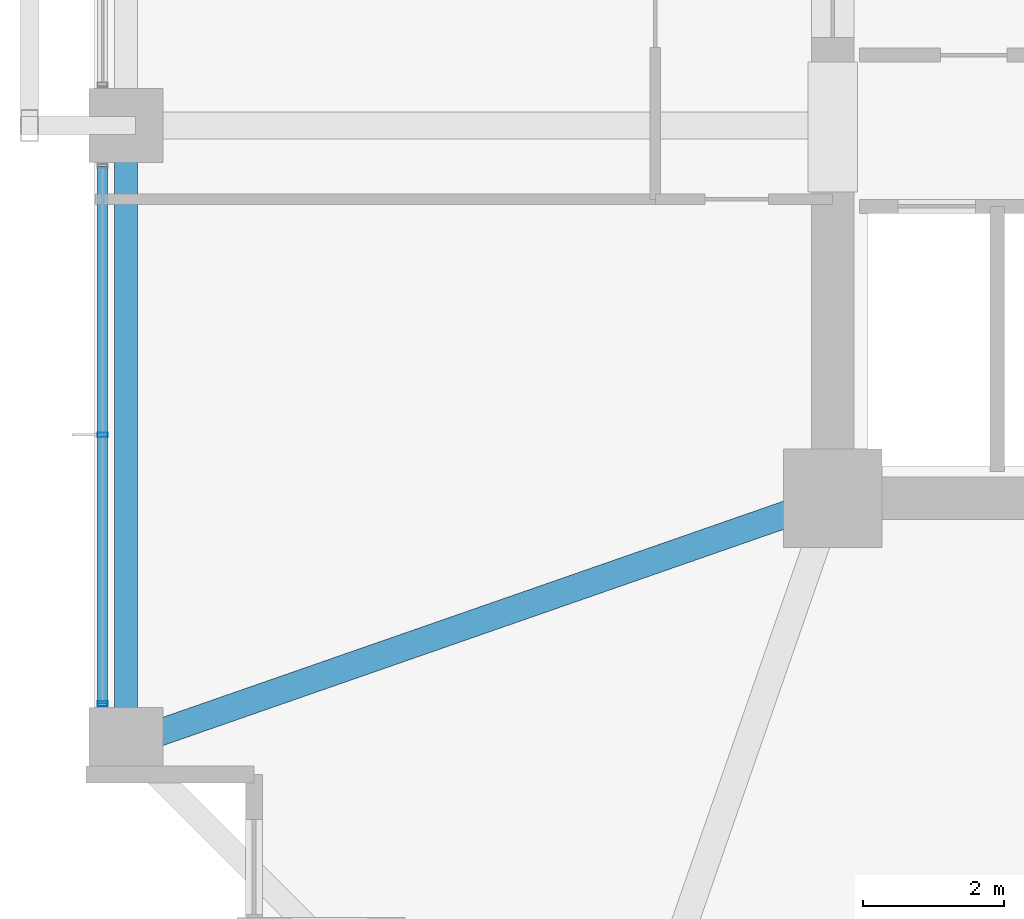
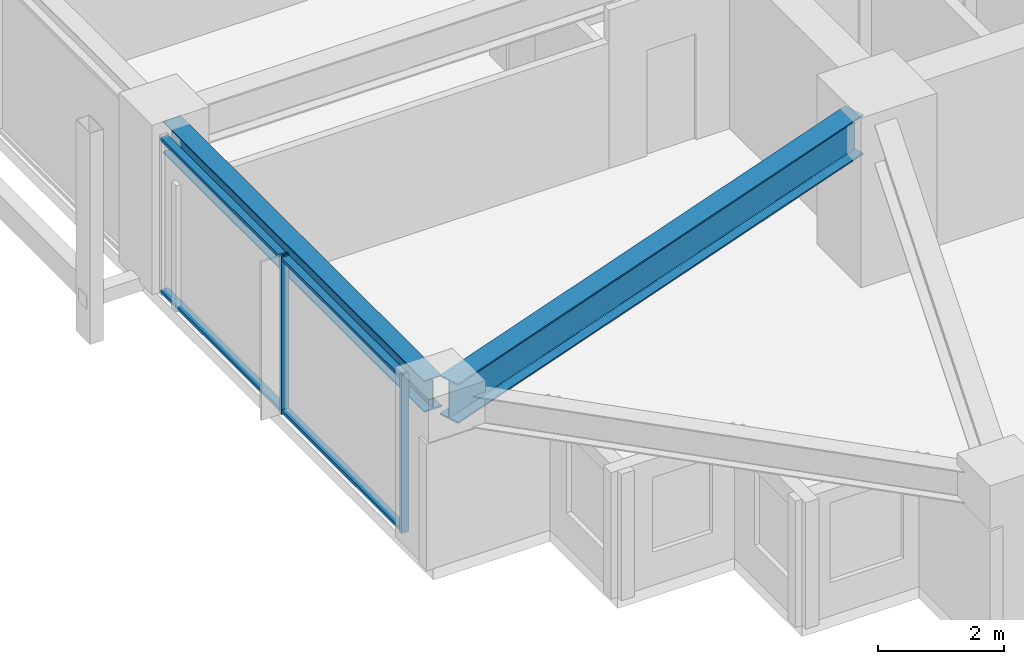
# One storey, part 3 of 38: 4 members, 2 beams, 1 element without a shape of its own.
"""IFC4 building model written with IfcOpenShell, lengths in metres."""

from ifc_helpers import new_model, si_unit, direction, frame, origin, origin_2d, place, context, subcontext, project, spatial, hollow_rectangle, i_section, extrude, material, material_profile, profile_set, type_object, element, aggregate, save


model = new_model("IFC4")

# Units and contexts
model_context = context("Model", 3, precision=1e-05, world=origin(), true_north=direction((0.0, 1.0)))
body_context = subcontext(model_context, "Body", "Model", "MODEL_VIEW")
ifc_project = project(units=[si_unit("LENGTHUNIT", "METRE"), si_unit("AREAUNIT", "SQUARE_METRE"), si_unit("VOLUMEUNIT", "CUBIC_METRE"), si_unit("PLANEANGLEUNIT", "RADIAN"), si_unit("MASSUNIT", "GRAM", prefix="KILO")], contexts=[model_context])

# Site, building, storey
site_placement = place(None, origin())
site = spatial("IfcSite", under=ifc_project, at=site_placement, CompositionType="ELEMENT")
building_placement = place(site_placement, origin())
building = spatial("IfcBuilding", under=site, at=building_placement, Name="Kolvaren Belvedere", CompositionType="ELEMENT")
storey_placement = place(building_placement, frame((0.0, 0.0, 72.199951171875)))
storey = spatial("IfcBuildingStorey", under=building, at=storey_placement, Name="L20", CompositionType="ELEMENT", Elevation=72.199951171875)

# Beams
ifc_material_1 = material(Name="Structural steel ASTM A992 Grade 50", Category="steel")
ifc_material_profile_1 = material_profile(ifc_material_1, i_section(OverallWidth=0.381103515625, OverallDepth=0.77294921875, WebThickness=0.0166015625, FlangeThickness=0.027099609375, FilletRadius=0.02392578125, at=origin_2d()), Name="W30X173")
ifc_profile_set_1 = profile_set([ifc_material_profile_1], Name="Structural steel ASTM A992 Grade 50")
beam_type_1 = type_object("IfcBeamType", Name="BM-GIRD-W30X173", PredefinedType="BEAM", material=ifc_profile_set_1)
beam_1_placement = place(storey_placement, frame((-10.41943359375, -10.080810546875, 2.693603515625), z_axis=(-0.944371408538, -0.328880894453, 0.0), x_axis=(0.328880894453, -0.944371408538, 0.0)))
element("IfcBeam", 1, at=beam_1_placement, inside=storey, type_object=beam_type_1, Name="L20 Corner Core-to-Perimeter Girder CC1-W1", PredefinedType="BEAM", context=body_context, shape_type="SweptSolid", body=[
    extrude(i_section(OverallWidth=0.381103515625, OverallDepth=0.77294921875, WebThickness=0.0166015625, FlangeThickness=0.027099609375, FilletRadius=0.02392578125, at=origin_2d()), origin(), (0.0, 0.0, 1.0), 9.882080078125),
])
ifc_material_2 = material(Name="Structural steel ASTM A992 Grade 50", Category="steel")
ifc_material_profile_2 = material_profile(ifc_material_2, i_section(OverallWidth=0.324951171875, OverallDepth=0.615966796875, WebThickness=0.013916015625, FlangeThickness=0.021484375, FilletRadius=0.02001953125, at=origin_2d()), Name="W24X117")
ifc_profile_set_2 = profile_set([ifc_material_profile_2], Name="Structural steel ASTM A992 Grade 50")
beam_type_2 = type_object("IfcBeamType", Name="BM-SPAN-W24X117", PredefinedType="SPANDREL", material=ifc_profile_set_2)
beam_2_placement = place(storey_placement, frame((-19.949951171875, -4.836181640625, 2.77197265625), z_axis=(0.0, -1.0, 0.0), x_axis=(1.0, 0.0, 0.0)))
element("IfcBeam", 2, at=beam_2_placement, inside=storey, type_object=beam_type_2, Name="L20 Perimeter Spandrel W2-W1", PredefinedType="SPANDREL", context=body_context, shape_type="SweptSolid", body=[
    extrude(i_section(OverallWidth=0.324951171875, OverallDepth=0.615966796875, WebThickness=0.013916015625, FlangeThickness=0.021484375, FilletRadius=0.02001953125, at=origin_2d()), origin(), (0.0, 0.0, 1.0), 8.32763671875),
])

# Curtain wall, members
ifc_material_3 = material(Name="Anodised pale-metal aluminium AA 6063-T6", Category="aluminium")
curtain_wall_type = type_object("IfcCurtainWallType", Name="CW-Z2-MID", PredefinedType="NOTDEFINED", material=ifc_material_3)
curtain_wall_placement = place(storey_placement, origin())
curtain_wall = element("IfcCurtainWall", 3, at=curtain_wall_placement, inside=storey, type_object=curtain_wall_type, Name="L20 Unitised Curtain Wall FCW-L20-W-B1", PredefinedType="NOTDEFINED")
ifc_material_4 = material(Name="Anodised pale-metal aluminium AA 6063-T6", Category="aluminium")
ifc_material_profile_3 = material_profile(ifc_material_4, hollow_rectangle(XDim=0.06494140625, YDim=0.139892578125, WallThickness=0.00390625, at=origin_2d()), Name="ALU-MUL-140X65")
ifc_profile_set_3 = profile_set([ifc_material_profile_3], Name="Anodised pale-metal aluminium AA 6063-T6")
member_type_1 = type_object("IfcMemberType", Name="CW-MUL-140", PredefinedType="MULLION", material=ifc_profile_set_3)
member_1_placement = place(storey_placement, frame((-20.280029296875, -12.822509765625, 0.0), z_axis=(0.0, 0.0, 1.0), x_axis=(0.0, 1.0, 0.0)))
member_1 = element("IfcMember", 4, at=member_1_placement, type_object=member_type_1, Name="FCW-L20-W-B1 Unitised Mullion 1", PredefinedType="MULLION", context=body_context, shape_type="SweptSolid", body=[
    extrude(hollow_rectangle(XDim=0.06494140625, YDim=0.139892578125, WallThickness=0.00390625, at=origin_2d()), origin(), (0.0, 0.0, 1.0), 3.080078125),
])
member_2_placement = place(storey_placement, frame((-20.280029296875, -9.0, 0.0), z_axis=(0.0, 0.0, 1.0), x_axis=(0.0, 1.0, 0.0)))
member_2 = element("IfcMember", 5, at=member_2_placement, type_object=member_type_1, Name="FCW-L20-W-B1 Unitised Mullion 2", PredefinedType="MULLION", context=body_context, shape_type="SweptSolid", body=[
    extrude(hollow_rectangle(XDim=0.06494140625, YDim=0.139892578125, WallThickness=0.00390625, at=origin_2d()), origin(), (0.0, 0.0, 1.0), 3.080078125),
])
ifc_material_5 = material(Name="Anodised pale-metal aluminium AA 6063-T6", Category="aluminium")
ifc_material_profile_4 = material_profile(ifc_material_5, hollow_rectangle(XDim=0.06005859375, YDim=0.139892578125, WallThickness=0.00390625, at=origin_2d()), Name="ALU-TRN-140X60")
ifc_profile_set_4 = profile_set([ifc_material_profile_4], Name="Anodised pale-metal aluminium AA 6063-T6")
member_type_2 = type_object("IfcMemberType", Name="CW-TRN-140", PredefinedType="USERDEFINED", material=ifc_profile_set_4)
member_3_placement = place(storey_placement, frame((-20.280029296875, -12.822509765625, 0.06005859375), z_axis=(0.0, 1.0, 0.0), x_axis=(0.0, 0.0, 1.0)))
member_3 = element("IfcMember", 6, at=member_3_placement, type_object=member_type_2, Name="FCW-L20-W-B1 Sill Transom", ObjectType="TRANSOM", PredefinedType="USERDEFINED", context=body_context, shape_type="SweptSolid", body=[
    extrude(hollow_rectangle(XDim=0.06005859375, YDim=0.139892578125, WallThickness=0.00390625, at=origin_2d()), origin(), (0.0, 0.0, 1.0), 7.64501953125),
])
member_4_placement = place(storey_placement, frame((-20.280029296875, -12.822509765625, 3.02001953125), z_axis=(0.0, 1.0, 0.0), x_axis=(0.0, 0.0, 1.0)))
member_4 = element("IfcMember", 7, at=member_4_placement, type_object=member_type_2, Name="FCW-L20-W-B1 Head Transom", ObjectType="TRANSOM", PredefinedType="USERDEFINED", context=body_context, shape_type="SweptSolid", body=[
    extrude(hollow_rectangle(XDim=0.06005859375, YDim=0.139892578125, WallThickness=0.00390625, at=origin_2d()), origin(), (0.0, 0.0, 1.0), 7.64501953125),
])
aggregate(curtain_wall, [member_1, member_2, member_3, member_4])

save(model, "model.ifc")
